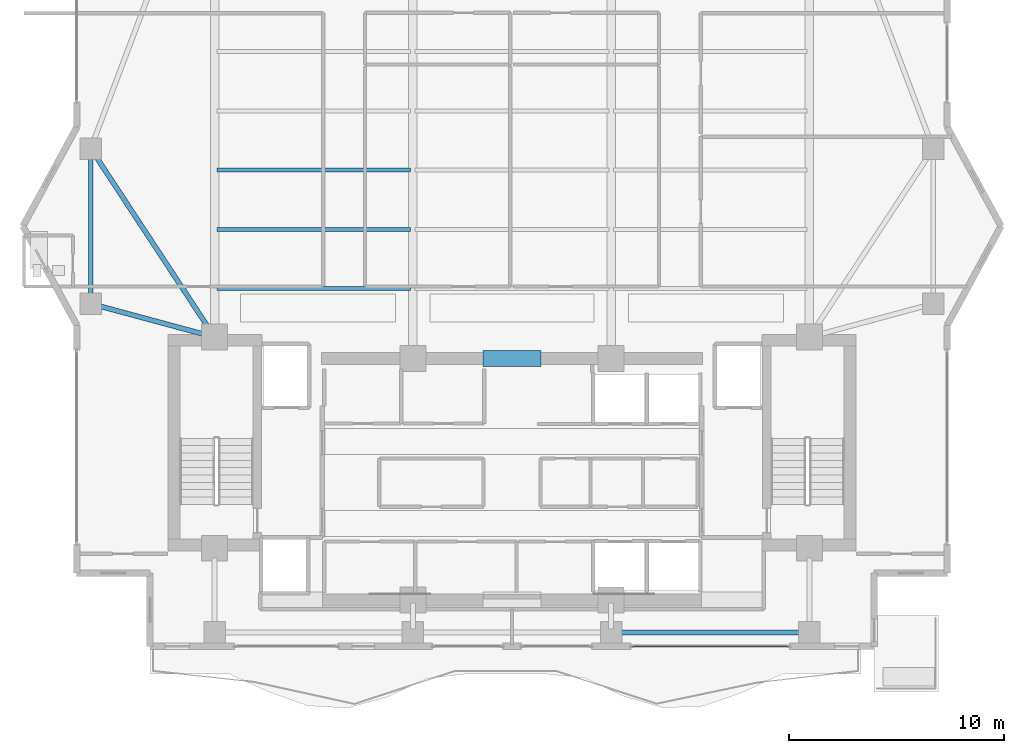
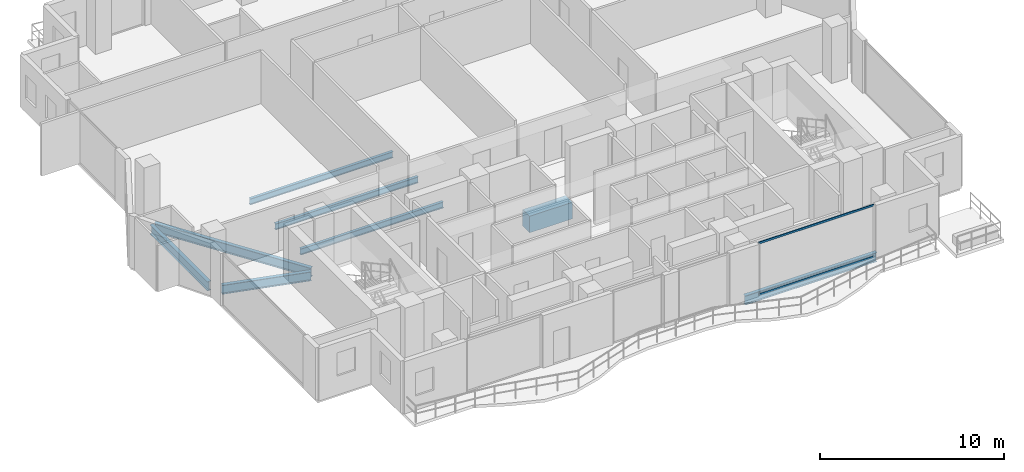
# One storey, part 5 of 26: 8 beams, 2 members, 1 element without a shape of its own.
"""IFC4 building model written with IfcOpenShell, lengths in metres."""

from ifc_helpers import new_model, si_unit, direction, frame, origin, origin_2d, place, context, subcontext, project, spatial, rectangle, hollow_rectangle, i_section, extrude, material, layer, layer_set, material_profile, profile_set, type_object, element, aggregate, save


model = new_model("IFC4")

# Units and contexts
model_context = context("Model", 3, precision=1e-05, world=origin(), true_north=direction((0.0, 1.0)))
body_context = subcontext(model_context, "Body", "Model", "MODEL_VIEW")
ifc_project = project(units=[si_unit("LENGTHUNIT", "METRE"), si_unit("AREAUNIT", "SQUARE_METRE"), si_unit("VOLUMEUNIT", "CUBIC_METRE"), si_unit("PLANEANGLEUNIT", "RADIAN"), si_unit("MASSUNIT", "GRAM", prefix="KILO")], contexts=[model_context])

# Site, building, storey
site_placement = place(None, origin())
site = spatial("IfcSite", under=ifc_project, at=site_placement, CompositionType="ELEMENT")
building_placement = place(site_placement, origin())
building = spatial("IfcBuilding", under=site, at=building_placement, Name="Zuhayl Quay Hotel", CompositionType="ELEMENT")
storey_placement = place(building_placement, frame((0.0, 0.0, 254.449951171875)))
storey = spatial("IfcBuildingStorey", under=building, at=storey_placement, Name="L64", CompositionType="ELEMENT", Elevation=254.449951171875)

# Beams
ifc_material_1 = material(Name="Steel ASTM A992 Grade 50", Category="steel")
ifc_material_profile_1 = material_profile(ifc_material_1, i_section(OverallWidth=0.22802734375, OverallDepth=0.60693359375, WebThickness=0.01123046875, FlangeThickness=0.017333984375, at=origin_2d()), Name="W24X76")
ifc_profile_set_1 = profile_set([ifc_material_profile_1], Name="Steel ASTM A992 Grade 50")
beam_type_1 = type_object("IfcBeamType", Name="BM_B3_W24X76", PredefinedType="BEAM", material=ifc_profile_set_1)
beam_1_placement = place(storey_placement, frame((5.06005859375, 0.64990234375, -0.5234375), z_axis=(1.0, 0.0, 0.0), x_axis=(0.0, 1.0, 0.0)))
element("IfcBeam", 1, at=beam_1_placement, inside=storey, type_object=beam_type_1, Name="L64 Floor Beam RG_L64_03", PredefinedType="BEAM", context=body_context, shape_type="SweptSolid", body=[
    extrude(i_section(OverallWidth=0.22802734375, OverallDepth=0.60693359375, WebThickness=0.01123046875, FlangeThickness=0.017333984375, at=origin_2d()), origin(), (0.0, 0.0, 1.0), 8.280029296875),
])
beam_2_placement = place(storey_placement, frame((-19.550048828125, 22.639892578125, -0.5234375), z_axis=(0.0, -1.0, 0.0), x_axis=(1.0, 0.0, 0.0)))
element("IfcBeam", 2, at=beam_2_placement, inside=storey, type_object=beam_type_1, Name="L64 Floor Beam RG_L64_11", PredefinedType="BEAM", context=body_context, shape_type="SweptSolid", body=[
    extrude(i_section(OverallWidth=0.22802734375, OverallDepth=0.60693359375, WebThickness=0.01123046875, FlangeThickness=0.017333984375, at=origin_2d()), origin(), (0.0, 0.0, 1.0), 6.27978515625),
])
beam_3_placement = place(storey_placement, frame((-19.10595703125, 15.7802734375, -0.5234375), z_axis=(0.965530205773, -0.26029103277, 0.0), x_axis=(0.26029103277, 0.965530205773, 0.0)))
element("IfcBeam", 3, at=beam_3_placement, inside=storey, type_object=beam_type_1, Name="L64 Floor Beam FG_W_L64_1", PredefinedType="BEAM", context=body_context, shape_type="SweptSolid", body=[
    extrude(i_section(OverallWidth=0.22802734375, OverallDepth=0.60693359375, WebThickness=0.01123046875, FlangeThickness=0.017333984375, at=origin_2d()), origin(), (0.0, 0.0, 1.0), 5.045166015625),
])
beam_4_placement = place(storey_placement, frame((-19.29736328125, 22.715576171875, -0.5234375), z_axis=(0.549177886661, -0.835705479701, 0.0), x_axis=(0.835705479701, 0.549177886661, 0.0)))
element("IfcBeam", 4, at=beam_4_placement, inside=storey, type_object=beam_type_1, Name="L64 Floor Beam FG_W_L64_2", PredefinedType="BEAM", context=body_context, shape_type="SweptSolid", body=[
    extrude(i_section(OverallWidth=0.22802734375, OverallDepth=0.60693359375, WebThickness=0.01123046875, FlangeThickness=0.017333984375, at=origin_2d()), origin(), (0.0, 0.0, 1.0), 9.560302734375),
])
ifc_material_2 = material(Name="Concrete C60/75", Category="concrete")
ifc_material_profile_2 = material_profile(ifc_material_2, rectangle(XDim=0.75, YDim=1.10009765625, at=origin_2d()), Name="RC750X1100")
ifc_profile_set_2 = profile_set([ifc_material_profile_2], Name="Concrete C60/75")
beam_type_2 = type_object("IfcBeamType", Name="BM_CB2_RC750", PredefinedType="T_BEAM", material=ifc_profile_set_2)
beam_5_placement = place(storey_placement, frame((-1.35009765625, 13.35009765625, -0.77001953125), z_axis=(1.0, 0.0, 0.0), x_axis=(0.0, 1.0, 0.0)))
element("IfcBeam", 5, at=beam_5_placement, inside=storey, type_object=beam_type_2, Name="L64 Core Coupling Beam North", PredefinedType="T_BEAM", context=body_context, shape_type="SweptSolid", body=[
    extrude(rectangle(XDim=0.75, YDim=1.10009765625, at=origin_2d()), origin(), (0.0, 0.0, 1.0), 2.7001953125),
])
ifc_material_profile_3 = material_profile(ifc_material_1, i_section(OverallWidth=0.177978515625, OverallDepth=0.404052734375, WebThickness=0.007568359375, FlangeThickness=0.010986328125, at=origin_2d()), Name="W16X36")
ifc_profile_set_3 = profile_set([ifc_material_profile_3], Name="Steel ASTM A992 Grade 50")
beam_type_3 = type_object("IfcBeamType", Name="BM_J3_W16X36", PredefinedType="JOIST", material=ifc_profile_set_3)
for number, where, z_axis, x_axis, name in (
    (6, (-13.694091796875, 16.60009765625, -0.421875), (1.0, 0.0, 0.0), (0.0, 1.0, 0.0), "L64 Floor Beam FJ_L64_1_1"),
    (7, (-13.694091796875, 19.35009765625, -0.421875), (1.0, 0.0, 0.0), (0.0, 1.0, 0.0), "L64 Floor Beam FJ_L64_2_1"),
    (8, (-13.694091796875, 22.10009765625, -0.421875), (1.0, 0.0, 0.0), (0.0, 1.0, 0.0), "L64 Floor Beam FJ_L64_3_1"),
):
    element("IfcBeam", number, at=place(storey_placement, frame(where, z_axis=z_axis, x_axis=x_axis)), inside=storey, type_object=beam_type_3, Name=name, PredefinedType="JOIST", context=body_context, shape_type="SweptSolid", body=[
        extrude(i_section(OverallWidth=0.177978515625, OverallDepth=0.404052734375, WebThickness=0.007568359375, FlangeThickness=0.010986328125, at=origin_2d()), origin(), (0.0, 0.0, 1.0), 8.988037109375),
    ])

# Curtain wall, members
ifc_material_3 = material(Name="Anodised Aluminium 6063-T6", Category="aluminium")
ifc_layer = layer(ifc_material_3, 0.169921875, Name="Anodised Aluminium 6063-T6", Category="aluminium")
ifc_layer_set = layer_set([ifc_layer], Name="Anodised Aluminium 6063-T6")
curtain_wall_type = type_object("IfcCurtainWallType", Name="CW_SYS_Z4", PredefinedType="USERDEFINED", material=ifc_layer_set)
curtain_wall_placement = place(storey_placement, origin())
curtain_wall = element("IfcCurtainWall", 9, at=curtain_wall_placement, inside=storey, type_object=curtain_wall_type, Name="L64 Curtain Wall ENV_L64_S_CW1", ObjectType="UNITISED CURTAIN WALL", PredefinedType="USERDEFINED")
ifc_material_4 = material(Name="Black-anodised aluminium 6063-T6", Category="aluminium")
ifc_material_profile_4 = material_profile(ifc_material_4, hollow_rectangle(XDim=0.054931640625, YDim=0.1298828125, WallThickness=0.0029296875, at=origin_2d()), Name="ALU130X55")
ifc_profile_set_4 = profile_set([ifc_material_profile_4], Name="Black-anodised aluminium 6063-T6")
member_type = type_object("IfcMemberType", Name="MB_CW_TRN_130", PredefinedType="USERDEFINED", material=ifc_profile_set_4)
member_1_placement = place(storey_placement, frame((12.81494140625, 0.0, 0.027587890625), z_axis=(-1.0, 0.0, 0.0), x_axis=(0.0, -1.0, 0.0)))
member_1 = element("IfcMember", 10, at=member_1_placement, type_object=member_type, Name="CW-Z4 transom 1.1", ObjectType="TRANSOM", PredefinedType="USERDEFINED", context=body_context, shape_type="SweptSolid", body=[
    extrude(hollow_rectangle(XDim=0.054931640625, YDim=0.1298828125, WallThickness=0.0029296875, at=origin_2d()), origin(), (0.0, 0.0, 1.0), 7.22998046875),
])
member_2_placement = place(storey_placement, frame((12.81494140625, 0.0, 3.45263671875), z_axis=(-1.0, 0.0, 0.0), x_axis=(0.0, -1.0, 0.0)))
member_2 = element("IfcMember", 11, at=member_2_placement, type_object=member_type, Name="CW-Z4 transom 1.2", ObjectType="TRANSOM", PredefinedType="USERDEFINED", context=body_context, shape_type="SweptSolid", body=[
    extrude(hollow_rectangle(XDim=0.054931640625, YDim=0.1298828125, WallThickness=0.0029296875, at=origin_2d()), origin(), (0.0, 0.0, 1.0), 7.22998046875),
])
aggregate(curtain_wall, [member_1, member_2])

save(model, "model.ifc")
